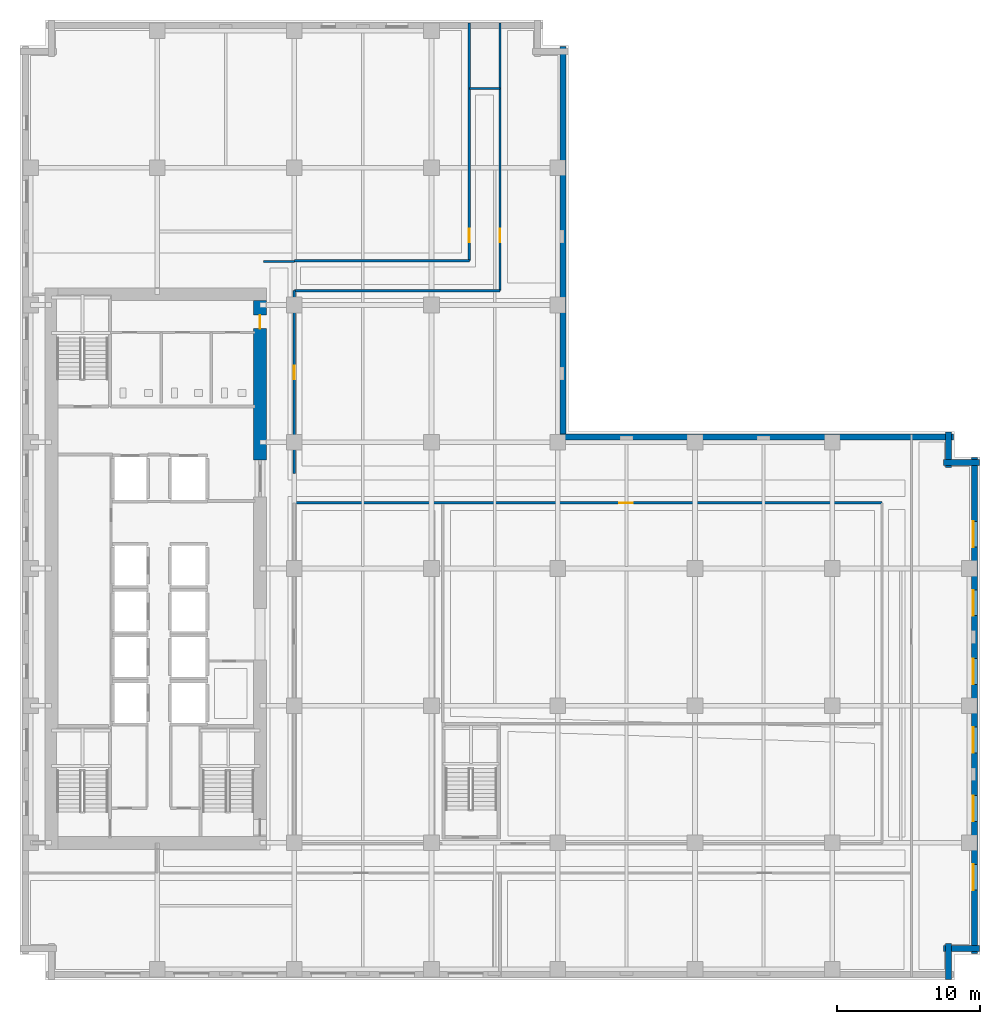
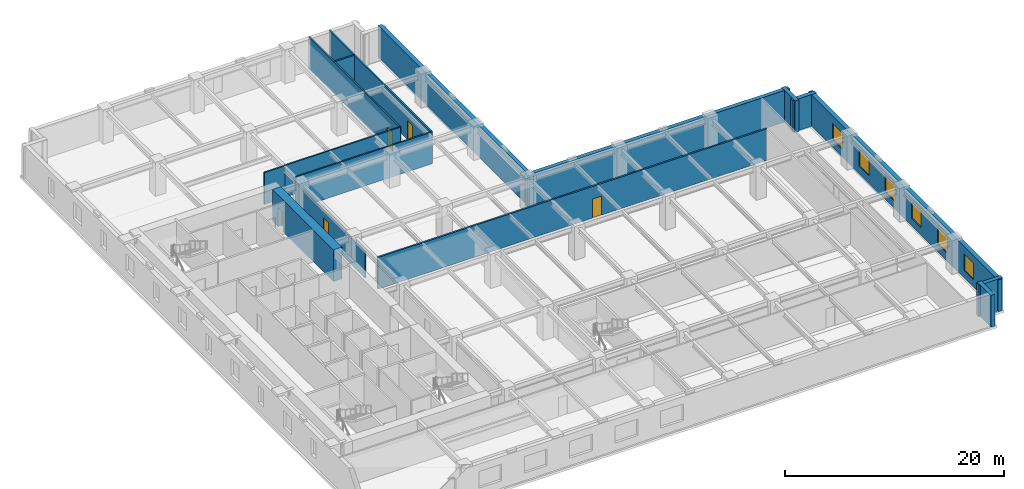
# One storey, part 7 of 15: 16 walls, 6 windows, 5 doors, 11 openings.
"""IFC4 building model written with IfcOpenShell, lengths in metres."""

from ifc_helpers import new_model, si_unit, direction, frame, frame_2d, origin, place, context, subcontext, project, spatial, rectangle, extrude, material, layer, layer_set, type_object, element, fill, save


model = new_model("IFC4")

# Units and contexts
model_context = context("Model", 3, precision=1e-05, world=origin(), true_north=direction((0.0, 1.0)))
body_context = subcontext(model_context, "Body", "Model", "MODEL_VIEW")
ifc_project = project(units=[si_unit("LENGTHUNIT", "METRE"), si_unit("AREAUNIT", "SQUARE_METRE"), si_unit("VOLUMEUNIT", "CUBIC_METRE"), si_unit("PLANEANGLEUNIT", "RADIAN"), si_unit("MASSUNIT", "GRAM", prefix="KILO")], contexts=[model_context])

# Site, building, storey
site_placement = place(None, origin())
site = spatial("IfcSite", under=ifc_project, at=site_placement, CompositionType="ELEMENT")
building_placement = place(site_placement, origin())
building = spatial("IfcBuilding", under=site, at=building_placement, Name="Norrvale University Quadrangle", CompositionType="ELEMENT")
storey_placement = place(building_placement, frame((0.0, 0.0, 88.800048828125)))
storey = spatial("IfcBuildingStorey", under=building, at=storey_placement, Name="L22", CompositionType="ELEMENT", Elevation=88.800048828125)

# Walls
ifc_material_1 = material(Name="Buff Norman Clay Brick Masonry", Category="masonry")
ifc_layer_1 = layer(ifc_material_1, 0.419921875, Name="Buff Norman Clay Brick Masonry")
ifc_layer_set_1 = layer_set([ifc_layer_1], Name="Buff Norman Clay Brick Masonry")
wall_type_1 = type_object("IfcWallType", Name="Wall Buff Brick 420", PredefinedType="SOLIDWALL", material=ifc_layer_set_1)
for number, where, z_axis, x_axis, name in (
    (1, (65.010009765625, 0.0400390625, 0.0), (0.0, 0.0, 1.0), (0.0, 1.0, 0.0), "Exterior Brick Facade Wall L22-02.1"),
    (2, (64.659912109375, 2.18994140625, 0.0), (0.0, 0.0, 1.0), (1.0, 0.0, 0.0), "Exterior Brick Facade Wall L22-03.1"),
):
    element("IfcWall", number, at=place(storey_placement, frame(where, z_axis=z_axis, x_axis=x_axis)), inside=storey, type_object=wall_type_1, Name=name, PredefinedType="SOLIDWALL", context=body_context, shape_type="SweptSolid", body=[
        extrude(rectangle(XDim=2.5, YDim=0.419921875, at=frame_2d((1.25, 0.0))), origin(), (0.0, 0.0, 1.0), 3.5400390625),
    ])

# Wall, openings, windows
wall_1_placement = place(storey_placement, frame((66.81005859375, 1.840087890625, 0.0), z_axis=(0.0, 0.0, 1.0), x_axis=(0.0, 1.0, 0.0)))
wall_1 = element("IfcWall", 3, at=wall_1_placement, inside=storey, type_object=wall_type_1, Name="Exterior Brick Facade Wall L22-04.1", PredefinedType="SOLIDWALL", context=body_context, shape_type="SweptSolid", body=[
    extrude(rectangle(XDim=34.719970703125, YDim=0.419921875, at=frame_2d((17.35986328125, 0.0))), origin(), (0.0, 0.0, 1.0), 3.5400390625),
])
opening_1_placement = place(wall_1_placement, frame((4.4599609375, 0.0, 0.85009765625)))
opening_1 = element("IfcOpeningElement", 4, at=opening_1_placement, cuts=wall_1, Name="Opening W01", PredefinedType="OPENING", context=body_context, shape_type="SweptSolid", body=[
    extrude(rectangle(XDim=1.800048828125, YDim=1.85009765625, at=frame_2d((0.89990234375, 0.925048828125))), frame((0.0, 0.221923828125, 0.0), z_axis=(0.0, -1.0, 0.0), x_axis=(1.0, 0.0, 0.0)), (0.0, 0.0, 1.0), 0.44384765625),
])
opening_2_placement = place(wall_1_placement, frame((9.260009765625, 0.0, 0.85009765625)))
opening_2 = element("IfcOpeningElement", 5, at=opening_2_placement, cuts=wall_1, Name="Opening W01", PredefinedType="OPENING", context=body_context, shape_type="SweptSolid", body=[
    extrude(rectangle(XDim=1.800048828125, YDim=1.85009765625, at=frame_2d((0.89990234375, 0.925048828125))), frame((0.0, 0.221923828125, 0.0), z_axis=(0.0, -1.0, 0.0), x_axis=(1.0, 0.0, 0.0)), (0.0, 0.0, 1.0), 0.44384765625),
])
opening_3_placement = place(wall_1_placement, frame((14.06005859375, 0.0, 0.85009765625)))
opening_3 = element("IfcOpeningElement", 6, at=opening_3_placement, cuts=wall_1, Name="Opening W01", PredefinedType="OPENING", context=body_context, shape_type="SweptSolid", body=[
    extrude(rectangle(XDim=1.800048828125, YDim=1.85009765625, at=frame_2d((0.89990234375, 0.925048828125))), frame((0.0, 0.221923828125, 0.0), z_axis=(0.0, -1.0, 0.0), x_axis=(1.0, 0.0, 0.0)), (0.0, 0.0, 1.0), 0.44384765625),
])
opening_4_placement = place(wall_1_placement, frame((18.860107421875, 0.0, 0.85009765625)))
opening_4 = element("IfcOpeningElement", 7, at=opening_4_placement, cuts=wall_1, Name="Opening W01", PredefinedType="OPENING", context=body_context, shape_type="SweptSolid", body=[
    extrude(rectangle(XDim=1.800048828125, YDim=1.85009765625, at=frame_2d((0.89990234375, 0.925048828125))), frame((0.0, 0.221923828125, 0.0), z_axis=(0.0, -1.0, 0.0), x_axis=(1.0, 0.0, 0.0)), (0.0, 0.0, 1.0), 0.44384765625),
])
opening_5_placement = place(wall_1_placement, frame((23.659912109375, 0.0, 0.85009765625)))
opening_5 = element("IfcOpeningElement", 8, at=opening_5_placement, cuts=wall_1, Name="Opening W01", PredefinedType="OPENING", context=body_context, shape_type="SweptSolid", body=[
    extrude(rectangle(XDim=1.800048828125, YDim=1.85009765625, at=frame_2d((0.89990234375, 0.925048828125))), frame((0.0, 0.221923828125, 0.0), z_axis=(0.0, -1.0, 0.0), x_axis=(1.0, 0.0, 0.0)), (0.0, 0.0, 1.0), 0.44384765625),
])
opening_6_placement = place(wall_1_placement, frame((28.4599609375, 0.0, 0.85009765625)))
opening_6 = element("IfcOpeningElement", 9, at=opening_6_placement, cuts=wall_1, Name="Opening W01", PredefinedType="OPENING", context=body_context, shape_type="SweptSolid", body=[
    extrude(rectangle(XDim=1.800048828125, YDim=1.85009765625, at=frame_2d((0.89990234375, 0.925048828125))), frame((0.0, 0.221923828125, 0.0), z_axis=(0.0, -1.0, 0.0), x_axis=(1.0, 0.0, 0.0)), (0.0, 0.0, 1.0), 0.44384765625),
])
ifc_material_2 = material(Name="Triple Low-E Argon Glazing", Category="glass")
window_type = type_object("IfcWindowType", Name="Window Academic 1800x2300", PartitioningType="DOUBLE_PANEL_VERTICAL", PredefinedType="WINDOW", material=ifc_material_2)
window_1_placement = place(opening_1_placement, origin())
window_1 = element("IfcWindow", 10, at=window_1_placement, inside=storey, type_object=window_type, Name="Window Academic 1800x2300 WIN-L22-E04-1-01", OverallHeight=1.85009765625, OverallWidth=1.800048828125, PartitioningType="DOUBLE_PANEL_VERTICAL", PredefinedType="WINDOW", context=body_context, shape_type="SweptSolid", body=[
    extrude(rectangle(XDim=1.800048828125, YDim=1.85009765625, at=frame_2d((0.89990234375, 0.925048828125))), frame((0.0, 0.110107421875, 0.0), z_axis=(0.0, -1.0, 0.0), x_axis=(1.0, 0.0, 0.0)), (0.0, 0.0, 1.0), 0.06005859375),
])
fill(opening_1, window_1)
window_2_placement = place(opening_2_placement, origin())
window_2 = element("IfcWindow", 11, at=window_2_placement, inside=storey, type_object=window_type, Name="Window Academic 1800x2300 WIN-L22-E04-1-02", OverallHeight=1.85009765625, OverallWidth=1.800048828125, PartitioningType="DOUBLE_PANEL_VERTICAL", PredefinedType="WINDOW", context=body_context, shape_type="SweptSolid", body=[
    extrude(rectangle(XDim=1.800048828125, YDim=1.85009765625, at=frame_2d((0.89990234375, 0.925048828125))), frame((0.0, 0.110107421875, 0.0), z_axis=(0.0, -1.0, 0.0), x_axis=(1.0, 0.0, 0.0)), (0.0, 0.0, 1.0), 0.06005859375),
])
fill(opening_2, window_2)
window_3_placement = place(opening_3_placement, origin())
window_3 = element("IfcWindow", 12, at=window_3_placement, inside=storey, type_object=window_type, Name="Window Academic 1800x2300 WIN-L22-E04-1-03", OverallHeight=1.85009765625, OverallWidth=1.800048828125, PartitioningType="DOUBLE_PANEL_VERTICAL", PredefinedType="WINDOW", context=body_context, shape_type="SweptSolid", body=[
    extrude(rectangle(XDim=1.800048828125, YDim=1.85009765625, at=frame_2d((0.89990234375, 0.925048828125))), frame((0.0, 0.110107421875, 0.0), z_axis=(0.0, -1.0, 0.0), x_axis=(1.0, 0.0, 0.0)), (0.0, 0.0, 1.0), 0.06005859375),
])
fill(opening_3, window_3)
window_4_placement = place(opening_4_placement, origin())
window_4 = element("IfcWindow", 13, at=window_4_placement, inside=storey, type_object=window_type, Name="Window Academic 1800x2300 WIN-L22-E04-1-04", OverallHeight=1.85009765625, OverallWidth=1.800048828125, PartitioningType="DOUBLE_PANEL_VERTICAL", PredefinedType="WINDOW", context=body_context, shape_type="SweptSolid", body=[
    extrude(rectangle(XDim=1.800048828125, YDim=1.85009765625, at=frame_2d((0.89990234375, 0.925048828125))), frame((0.0, 0.110107421875, 0.0), z_axis=(0.0, -1.0, 0.0), x_axis=(1.0, 0.0, 0.0)), (0.0, 0.0, 1.0), 0.06005859375),
])
fill(opening_4, window_4)
window_5_placement = place(opening_5_placement, origin())
window_5 = element("IfcWindow", 14, at=window_5_placement, inside=storey, type_object=window_type, Name="Window Academic 1800x2300 WIN-L22-E04-1-05", OverallHeight=1.85009765625, OverallWidth=1.800048828125, PartitioningType="DOUBLE_PANEL_VERTICAL", PredefinedType="WINDOW", context=body_context, shape_type="SweptSolid", body=[
    extrude(rectangle(XDim=1.800048828125, YDim=1.85009765625, at=frame_2d((0.89990234375, 0.925048828125))), frame((0.0, 0.110107421875, 0.0), z_axis=(0.0, -1.0, 0.0), x_axis=(1.0, 0.0, 0.0)), (0.0, 0.0, 1.0), 0.06005859375),
])
fill(opening_5, window_5)
window_6_placement = place(opening_6_placement, origin())
window_6 = element("IfcWindow", 15, at=window_6_placement, inside=storey, type_object=window_type, Name="Window Academic 1800x2300 WIN-L22-E04-1-06", OverallHeight=1.85009765625, OverallWidth=1.800048828125, PartitioningType="DOUBLE_PANEL_VERTICAL", PredefinedType="WINDOW", context=body_context, shape_type="SweptSolid", body=[
    extrude(rectangle(XDim=1.800048828125, YDim=1.85009765625, at=frame_2d((0.89990234375, 0.925048828125))), frame((0.0, 0.110107421875, 0.0), z_axis=(0.0, -1.0, 0.0), x_axis=(1.0, 0.0, 0.0)), (0.0, 0.0, 1.0), 0.06005859375),
])
fill(opening_6, window_6)

# Walls
for number, where, z_axis, x_axis, name in (
    (16, (67.159912109375, 36.2099609375, 0.0), (0.0, 0.0, 1.0), (-1.0, 0.0, 0.0), "Exterior Brick Facade Wall L22-05.1"),
    (17, (65.010009765625, 35.860107421875, 0.0), (0.0, 0.0, 1.0), (0.0, 1.0, 0.0), "Exterior Brick Facade Wall L22-06.1"),
):
    element("IfcWall", number, at=place(storey_placement, frame(where, z_axis=z_axis, x_axis=x_axis)), inside=storey, type_object=wall_type_1, Name=name, PredefinedType="SOLIDWALL", context=body_context, shape_type="SweptSolid", body=[
        extrude(rectangle(XDim=2.5, YDim=0.419921875, at=frame_2d((1.25, 0.0))), origin(), (0.0, 0.0, 1.0), 3.5400390625),
    ])
for number, where, z_axis, x_axis, name in (
    (18, (65.360107421875, 38.010009765625, 0.0), (0.0, 0.0, 1.0), (-1.0, 0.0, 0.0), "Exterior Brick Facade Wall L22-07.1"),
    (19, (38.010009765625, 37.659912109375, 0.0), (0.0, 0.0, 1.0), (0.0, 1.0, 0.0), "Exterior Brick Facade Wall L22-08.1"),
):
    element("IfcWall", number, at=place(storey_placement, frame(where, z_axis=z_axis, x_axis=x_axis)), inside=storey, type_object=wall_type_1, Name=name, PredefinedType="SOLIDWALL", context=body_context, shape_type="SweptSolid", body=[
        extrude(rectangle(XDim=27.7001953125, YDim=0.419921875, at=frame_2d((13.85009765625, 0.0))), origin(), (0.0, 0.0, 1.0), 3.5400390625),
    ])

# Wall, opening, door
ifc_material_3 = material(Name="Concrete C80/95", Category="concrete")
ifc_layer_2 = layer(ifc_material_3, 0.89990234375, Name="Concrete C80/95")
ifc_layer_set_2 = layer_set([ifc_layer_2], Name="Concrete C80/95")
wall_type_2 = type_object("IfcWallType", Name="Wall Core 900", PredefinedType="SHEAR", material=ifc_layer_set_2)
wall_2_placement = place(storey_placement, frame((16.800048828125, 36.39990234375, 0.0), z_axis=(0.0, 0.0, 1.0), x_axis=(0.0, 1.0, 0.0)))
wall_2 = element("IfcWall", 20, at=wall_2_placement, inside=storey, type_object=wall_type_2, Name="Tower Core Shear Wall L22-E3", PredefinedType="SHEAR", context=body_context, shape_type="SweptSolid", body=[
    extrude(rectangle(XDim=11.150146484375, YDim=0.89990234375, at=frame_2d((5.5751953125, 0.0))), origin(), (0.0, 0.0, 1.0), 3.5400390625),
])
opening_7_placement = place(wall_2_placement, frame((9.199951171875, 0.0, 0.0)))
opening_7 = element("IfcOpeningElement", 21, at=opening_7_placement, cuts=wall_2, Name="Opening D07", PredefinedType="OPENING", context=body_context, shape_type="SweptSolid", body=[
    extrude(rectangle(XDim=0.949951171875, YDim=2.14990234375, at=frame_2d((0.47509765625, 1.074951171875))), frame((0.0, 0.4619140625, 0.0), z_axis=(0.0, -1.0, 0.0), x_axis=(1.0, 0.0, 0.0)), (0.0, 0.0, 1.0), 0.923828125),
])
ifc_material_4 = material(Name="Solid-Core Maple Door", Category="wood")
door_type = type_object("IfcDoorType", Name="Door Office 950x2150", OperationType="NOTDEFINED", PredefinedType="DOOR", material=ifc_material_4)
door_1_placement = place(opening_7_placement, origin())
door_1 = element("IfcDoor", 22, at=door_1_placement, inside=storey, type_object=door_type, Name="Door Office 950x2150 DR-L22-NECORR", OperationType="SINGLE_SWING_LEFT", OverallHeight=2.14990234375, OverallWidth=0.949951171875, PredefinedType="DOOR", context=body_context, shape_type="SweptSolid", body=[
    extrude(rectangle(XDim=0.949951171875, YDim=2.14990234375, at=frame_2d((0.47509765625, 1.074951171875))), frame((0.0, 0.02490234375, 0.0), z_axis=(0.0, -1.0, 0.0), x_axis=(1.0, 0.0, 0.0)), (0.0, 0.0, 1.0), 0.050048828125),
])
fill(opening_7, door_1)

# Wall
ifc_material_5 = material(Name="Fire-Rated Gypsum Stud Partition")
ifc_layer_3 = layer(ifc_material_5, 0.14990234375, Name="Fire-Rated Gypsum Stud Partition")
ifc_layer_set_3 = layer_set([ifc_layer_3], Name="Fire-Rated Gypsum Stud Partition")
wall_type_3 = type_object("IfcWallType", Name="Wall Gypsum Corridor 150", PredefinedType="PARTITIONING", material=ifc_layer_set_3)
wall_3_placement = place(storey_placement, frame((17.050048828125, 50.300048828125, 0.0), z_axis=(0.0, 0.0, 1.0), x_axis=(1.0, 0.0, 0.0)))
element("IfcWall", 23, at=wall_3_placement, inside=storey, type_object=wall_type_3, Name="Interior Partition WL-L22-CN-END", PredefinedType="PARTITIONING", context=body_context, shape_type="SweptSolid", body=[
    extrude(rectangle(XDim=2.14990234375, YDim=0.14990234375, at=frame_2d((1.074951171875, 0.0))), origin(), (0.0, 0.0, 1.0), 3.5400390625),
])

# Wall, opening, door
wall_4_placement = place(storey_placement, frame((19.199951171875, 35.449951171875, 0.0), z_axis=(0.0, 0.0, 1.0), x_axis=(0.0, 1.0, 0.0)))
wall_4 = element("IfcWall", 24, at=wall_4_placement, inside=storey, type_object=wall_type_3, Name="Interior Partition WL-L22-MNECW", PredefinedType="PARTITIONING", context=body_context, shape_type="SweptSolid", body=[
    extrude(rectangle(XDim=12.800048828125, YDim=0.14990234375, at=frame_2d((6.39990234375, 0.0))), origin(), (0.0, 0.0, 1.0), 2.924072265625),
])
opening_8_placement = place(wall_4_placement, frame((6.60009765625, 0.0, 0.0)))
opening_8 = element("IfcOpeningElement", 25, at=opening_8_placement, cuts=wall_4, Name="Opening D07", PredefinedType="OPENING", context=body_context, shape_type="SweptSolid", body=[
    extrude(rectangle(XDim=0.949951171875, YDim=2.14990234375, at=frame_2d((0.47509765625, 1.074951171875))), frame((0.0, 0.0869140625, 0.0), z_axis=(0.0, -1.0, 0.0), x_axis=(1.0, 0.0, 0.0)), (0.0, 0.0, 1.0), 0.173828125),
])
door_2_placement = place(opening_8_placement, origin())
door_2 = element("IfcDoor", 26, at=door_2_placement, inside=storey, type_object=door_type, Name="Door Office 950x2150 DR-L22-MNE01", OperationType="SINGLE_SWING_RIGHT", OverallHeight=2.14990234375, OverallWidth=0.949951171875, PredefinedType="DOOR", context=body_context, shape_type="SweptSolid", body=[
    extrude(rectangle(XDim=0.949951171875, YDim=2.14990234375, at=frame_2d((0.47509765625, 1.074951171875))), frame((0.0, 0.02490234375, 0.0), z_axis=(0.0, -1.0, 0.0), x_axis=(1.0, 0.0, 0.0)), (0.0, 0.0, 1.0), 0.050048828125),
])
fill(opening_8, door_2)

# Walls
wall_5_placement = place(storey_placement, frame((19.199951171875, 48.25, 0.0), z_axis=(0.0, 0.0, 1.0), x_axis=(1.0, 0.0, 0.0)))
element("IfcWall", 27, at=wall_5_placement, inside=storey, type_object=wall_type_3, Name="Interior Partition WL-L22-JOGS", PredefinedType="PARTITIONING", context=body_context, shape_type="SweptSolid", body=[
    extrude(rectangle(XDim=14.400146484375, YDim=0.14990234375, at=frame_2d((7.2001953125, 0.0))), origin(), (0.0, 0.0, 1.0), 3.5400390625),
])
wall_6_placement = place(storey_placement, frame((19.199951171875, 50.35009765625, 0.0), z_axis=(0.0, 0.0, 1.0), x_axis=(1.0, 0.0, 0.0)))
element("IfcWall", 28, at=wall_6_placement, inside=storey, type_object=wall_type_3, Name="Interior Partition WL-L22-JOGN", PredefinedType="PARTITIONING", context=body_context, shape_type="SweptSolid", body=[
    extrude(rectangle(XDim=12.25, YDim=0.14990234375, at=frame_2d((6.125, 0.0))), origin(), (0.0, 0.0, 1.0), 3.5400390625),
])
wall_7_placement = place(storey_placement, frame((31.449951171875, 62.39990234375, 0.0), z_axis=(0.0, 0.0, 1.0), x_axis=(1.0, 0.0, 0.0)))
element("IfcWall", 29, at=wall_7_placement, inside=storey, type_object=wall_type_3, Name="Interior Partition WL-L22-JOGEND", PredefinedType="PARTITIONING", context=body_context, shape_type="SweptSolid", body=[
    extrude(rectangle(XDim=2.150146484375, YDim=0.14990234375, at=frame_2d((1.0751953125, 0.0))), origin(), (0.0, 0.0, 1.0), 3.5400390625),
])

# Wall, opening, door
wall_8_placement = place(storey_placement, frame((33.60009765625, 48.25, 0.0), z_axis=(0.0, 0.0, 1.0), x_axis=(0.0, 1.0, 0.0)))
wall_8 = element("IfcWall", 30, at=wall_8_placement, inside=storey, type_object=wall_type_3, Name="Interior Partition WL-L22-NECW", PredefinedType="PARTITIONING", context=body_context, shape_type="SweptSolid", body=[
    extrude(rectangle(XDim=18.72998046875, YDim=0.14990234375, at=frame_2d((9.364990234375, 0.0))), origin(), (0.0, 0.0, 1.0), 3.5400390625),
])
opening_9_placement = place(wall_8_placement, frame((3.39990234375, 0.0, 0.0)))
opening_9 = element("IfcOpeningElement", 31, at=opening_9_placement, cuts=wall_8, Name="Opening D07", PredefinedType="OPENING", context=body_context, shape_type="SweptSolid", body=[
    extrude(rectangle(XDim=0.949951171875, YDim=2.14990234375, at=frame_2d((0.47509765625, 1.074951171875))), frame((0.0, 0.0869140625, 0.0), z_axis=(0.0, -1.0, 0.0), x_axis=(1.0, 0.0, 0.0)), (0.0, 0.0, 1.0), 0.173828125),
])
door_3_placement = place(opening_9_placement, origin())
door_3 = element("IfcDoor", 32, at=door_3_placement, inside=storey, type_object=door_type, Name="Door Office 950x2150 DR-L22-NE01", OperationType="SINGLE_SWING_RIGHT", OverallHeight=2.14990234375, OverallWidth=0.949951171875, PredefinedType="DOOR", context=body_context, shape_type="SweptSolid", body=[
    extrude(rectangle(XDim=0.949951171875, YDim=2.14990234375, at=frame_2d((0.47509765625, 1.074951171875))), frame((0.0, 0.02490234375, 0.0), z_axis=(0.0, -1.0, 0.0), x_axis=(1.0, 0.0, 0.0)), (0.0, 0.0, 1.0), 0.050048828125),
])
fill(opening_9, door_3)

wall_9_placement = place(storey_placement, frame((31.449951171875, 50.35009765625, 0.0), z_axis=(0.0, 0.0, 1.0), x_axis=(0.0, 1.0, 0.0)))
wall_9 = element("IfcWall", 33, at=wall_9_placement, inside=storey, type_object=wall_type_3, Name="Interior Partition WL-L22-NWCW", PredefinedType="PARTITIONING", context=body_context, shape_type="SweptSolid", body=[
    extrude(rectangle(XDim=16.6298828125, YDim=0.14990234375, at=frame_2d((8.31494140625, 0.0))), origin(), (0.0, 0.0, 1.0), 3.5400390625),
])
opening_10_placement = place(wall_9_placement, frame((1.300048828125, 0.0, 0.0)))
opening_10 = element("IfcOpeningElement", 34, at=opening_10_placement, cuts=wall_9, Name="Opening D07", PredefinedType="OPENING", context=body_context, shape_type="SweptSolid", body=[
    extrude(rectangle(XDim=0.949951171875, YDim=2.14990234375, at=frame_2d((0.47509765625, 1.074951171875))), frame((0.0, 0.0869140625, 0.0), z_axis=(0.0, -1.0, 0.0), x_axis=(1.0, 0.0, 0.0)), (0.0, 0.0, 1.0), 0.173828125),
])
door_4_placement = place(opening_10_placement, origin())
door_4 = element("IfcDoor", 35, at=door_4_placement, inside=storey, type_object=door_type, Name="Door Office 950x2150 DR-L22-NW01", OperationType="SINGLE_SWING_RIGHT", OverallHeight=2.14990234375, OverallWidth=0.949951171875, PredefinedType="DOOR", context=body_context, shape_type="SweptSolid", body=[
    extrude(rectangle(XDim=0.949951171875, YDim=2.14990234375, at=frame_2d((0.47509765625, 1.074951171875))), frame((0.0, 0.02490234375, 0.0), z_axis=(0.0, -1.0, 0.0), x_axis=(1.0, 0.0, 0.0)), (0.0, 0.0, 1.0), 0.050048828125),
])
fill(opening_10, door_4)

ifc_material_6 = material(Name="Acoustic Double-Stud Gypsum Partition")
ifc_layer_4 = layer(ifc_material_6, 0.179931640625, Name="Acoustic Double-Stud Gypsum Partition")
ifc_layer_set_4 = layer_set([ifc_layer_4], Name="Acoustic Double-Stud Gypsum Partition")
wall_type_4 = type_object("IfcWallType", Name="Wall Gypsum Lecture 180", PredefinedType="PARTITIONING", material=ifc_layer_set_4)
wall_10_placement = place(storey_placement, frame((19.280029296875, 33.39990234375, 0.0), z_axis=(0.0, 0.0, 1.0), x_axis=(1.0, 0.0, 0.0)))
wall_10 = element("IfcWall", 36, at=wall_10_placement, inside=storey, type_object=wall_type_4, Name="Interior Partition WL-L22-ISLN", PredefinedType="PARTITIONING", context=body_context, shape_type="SweptSolid", body=[
    extrude(rectangle(XDim=41.070068359375, YDim=0.179931640625, at=frame_2d((20.53515625, 0.0))), origin(), (0.0, 0.0, 1.0), 3.5400390625),
])
opening_11_placement = place(wall_10_placement, frame((22.669921875, 0.0, 0.0)))
opening_11 = element("IfcOpeningElement", 37, at=opening_11_placement, cuts=wall_10, Name="Opening D07", PredefinedType="OPENING", context=body_context, shape_type="SweptSolid", body=[
    extrude(rectangle(XDim=0.949951171875, YDim=2.14990234375, at=frame_2d((0.47509765625, 1.074951171875))), frame((0.0, 0.10205078125, 0.0), z_axis=(0.0, -1.0, 0.0), x_axis=(1.0, 0.0, 0.0)), (0.0, 0.0, 1.0), 0.203857421875),
])
door_5_placement = place(opening_11_placement, origin())
door_5 = element("IfcDoor", 38, at=door_5_placement, inside=storey, type_object=door_type, Name="Door Office 950x2150 DR-L22-ILH", OperationType="SINGLE_SWING_RIGHT", OverallHeight=2.14990234375, OverallWidth=0.949951171875, PredefinedType="DOOR", context=body_context, shape_type="SweptSolid", body=[
    extrude(rectangle(XDim=0.949951171875, YDim=2.14990234375, at=frame_2d((0.47509765625, 1.074951171875))), frame((0.0, 0.02490234375, 0.0), z_axis=(0.0, -1.0, 0.0), x_axis=(1.0, 0.0, 0.0)), (0.0, 0.0, 1.0), 0.050048828125),
])
fill(opening_11, door_5)

save(model, "model.ifc")
